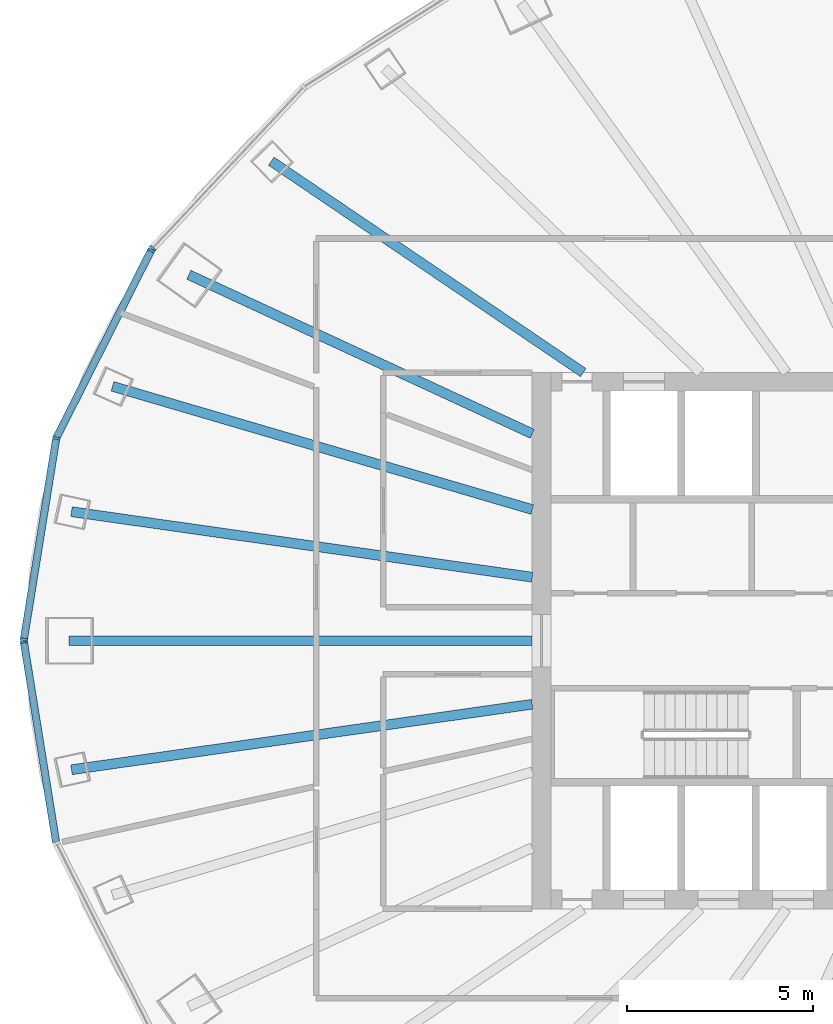
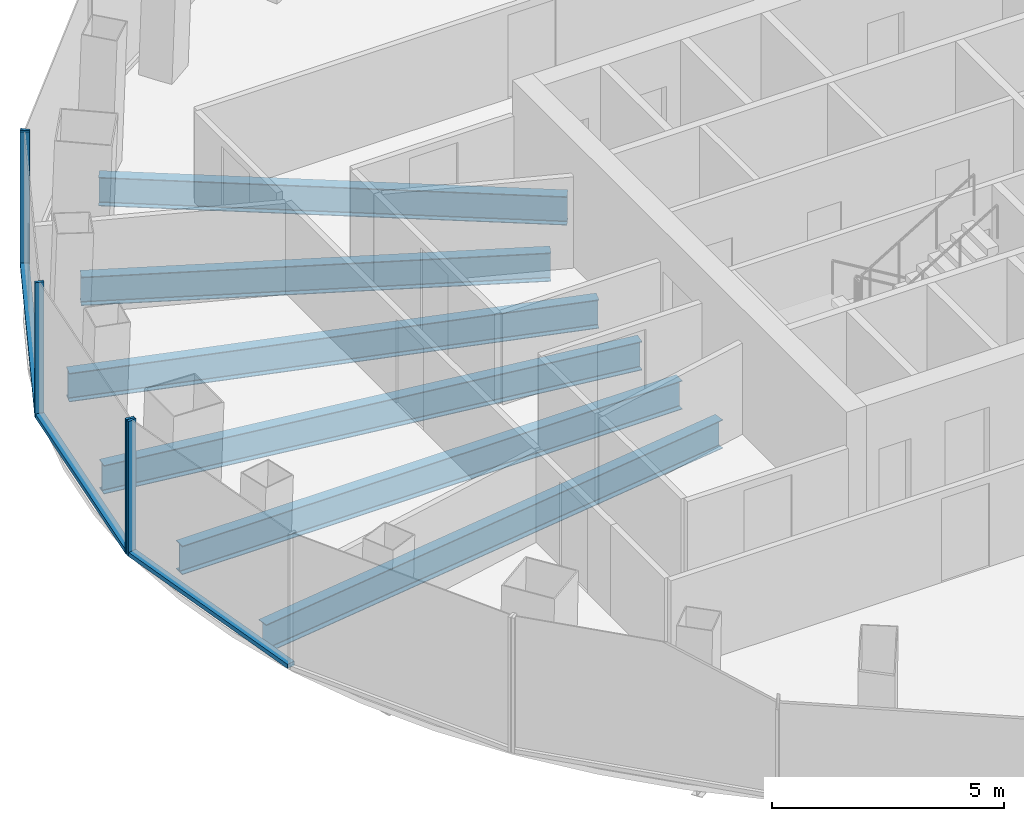
# One storey, part 3 of 12: 8 members, 6 beams, 3 elements without a shape of their own.
"""IFC4 building model written with IfcOpenShell, lengths in metres."""

from ifc_helpers import new_model, si_unit, direction, frame, origin, origin_2d, place, context, subcontext, project, spatial, rectangle, i_section, extrude, material, layer, layer_set, material_profile, profile_set, type_object, element, aggregate, save


model = new_model("IFC4")

# Units and contexts
model_context = context("Model", 3, precision=1e-05, world=origin(), true_north=direction((0.0, 1.0)))
body_context = subcontext(model_context, "Body", "Model", "MODEL_VIEW")
ifc_project = project(units=[si_unit("LENGTHUNIT", "METRE"), si_unit("AREAUNIT", "SQUARE_METRE"), si_unit("VOLUMEUNIT", "CUBIC_METRE"), si_unit("PLANEANGLEUNIT", "RADIAN"), si_unit("MASSUNIT", "GRAM", prefix="KILO")], contexts=[model_context])

# Site, building, storey
site_placement = place(None, origin())
site = spatial("IfcSite", under=ifc_project, at=site_placement, CompositionType="ELEMENT")
building_placement = place(site_placement, origin())
building = spatial("IfcBuilding", under=site, at=building_placement, Name="Siaravel Broadcast Tower", CompositionType="ELEMENT")
storey_placement = place(building_placement, frame((0.0, 0.0, 115.60009765625)))
storey = spatial("IfcBuildingStorey", under=building, at=storey_placement, Name="L27", CompositionType="ELEMENT", Elevation=115.60009765625)

# Beams
ifc_material_1 = material(Name="Steel S355", Category="steel")
ifc_material_profile_1 = material_profile(ifc_material_1, i_section(OverallWidth=0.26513671875, OverallDepth=0.75390625, WebThickness=0.0126953125, FlangeThickness=0.017578125, FilletRadius=0.0166015625, at=origin_2d()))
ifc_profile_set_1 = profile_set([ifc_material_profile_1], Name="Steel S355")
beam_type = type_object("IfcBeamType", Name="BM-UB 762x267x147", PredefinedType="BEAM", material=ifc_profile_set_1)
beam_1_placement = place(storey_placement, frame((-19.0068359375, 12.87548828125, -0.527099609375), z_axis=(0.827911102, -0.560859348, 0.0), x_axis=(0.560859348, 0.827911102, 0.0)))
element("IfcBeam", 1, at=beam_1_placement, inside=storey, type_object=beam_type, Name="Radial beam RB15", PredefinedType="BEAM", context=body_context, shape_type="SweptSolid", body=[
    extrude(i_section(OverallWidth=0.26513671875, OverallDepth=0.75390625, WebThickness=0.0126953125, FlangeThickness=0.017578125, FilletRadius=0.0166015625, at=origin_2d()), origin(), (0.0, 0.0, 1.0), 10.119384765625),
])
beam_2_placement = place(storey_placement, frame((-21.22021484375, 9.826904296875, -0.527099609375), z_axis=(0.907423475, -0.420217369, 0.0), x_axis=(0.420217369, 0.907423475, 0.0)))
element("IfcBeam", 2, at=beam_2_placement, inside=storey, type_object=beam_type, Name="Radial beam RB16", PredefinedType="BEAM", context=body_context, shape_type="SweptSolid", body=[
    extrude(i_section(OverallWidth=0.26513671875, OverallDepth=0.75390625, WebThickness=0.0126953125, FlangeThickness=0.017578125, FilletRadius=0.0166015625, at=origin_2d()), origin(), (0.0, 0.0, 1.0), 10.160888671875),
])
beam_3_placement = place(storey_placement, frame((-23.27001953125, 6.83056640625, -0.527099609375), z_axis=(0.959517615, -0.281648622, 0.0), x_axis=(0.281648622, 0.959517615, 0.0)))
element("IfcBeam", 3, at=beam_3_placement, inside=storey, type_object=beam_type, Name="Radial beam RB17", PredefinedType="BEAM", context=body_context, shape_type="SweptSolid", body=[
    extrude(i_section(OverallWidth=0.26513671875, OverallDepth=0.75390625, WebThickness=0.0126953125, FlangeThickness=0.017578125, FilletRadius=0.0166015625, at=origin_2d()), origin(), (0.0, 0.0, 1.0), 11.74560546875),
])
beam_4_placement = place(storey_placement, frame((-24.37109375, 3.464599609375, -0.527099609375), z_axis=(0.990044616, -0.140753896, 0.0), x_axis=(0.140753896, 0.990044616, 0.0)))
element("IfcBeam", 4, at=beam_4_placement, inside=storey, type_object=beam_type, Name="Radial beam RB18", PredefinedType="BEAM", context=body_context, shape_type="SweptSolid", body=[
    extrude(i_section(OverallWidth=0.26513671875, OverallDepth=0.75390625, WebThickness=0.0126953125, FlangeThickness=0.017578125, FilletRadius=0.0166015625, at=origin_2d()), origin(), (0.0, 0.0, 1.0), 12.49560546875),
])
beam_5_placement = place(storey_placement, frame((-24.44140625, 0.0, -0.527099609375), z_axis=(1.0, 0.0, 0.0), x_axis=(0.0, 1.0, 0.0)))
element("IfcBeam", 5, at=beam_5_placement, inside=storey, type_object=beam_type, Name="Radial beam RB19", PredefinedType="BEAM", context=body_context, shape_type="SweptSolid", body=[
    extrude(i_section(OverallWidth=0.26513671875, OverallDepth=0.75390625, WebThickness=0.0126953125, FlangeThickness=0.017578125, FilletRadius=0.0166015625, at=origin_2d()), origin(), (0.0, 0.0, 1.0), 12.44140625),
])
beam_6_placement = place(storey_placement, frame((-24.37109375, -3.464599609375, -0.527099609375), z_axis=(0.990044616, 0.140753896, 0.0), x_axis=(-0.140753896, 0.990044616, 0.0)))
element("IfcBeam", 6, at=beam_6_placement, inside=storey, type_object=beam_type, Name="Radial beam RB20", PredefinedType="BEAM", context=body_context, shape_type="SweptSolid", body=[
    extrude(i_section(OverallWidth=0.26513671875, OverallDepth=0.75390625, WebThickness=0.0126953125, FlangeThickness=0.017578125, FilletRadius=0.0166015625, at=origin_2d()), origin(), (0.0, 0.0, 1.0), 12.49560546875),
])

# Curtain wall, member
ifc_material_2 = material(Name="Aluminium 6063-T6", Category="aluminium")
ifc_layer = layer(ifc_material_2, 0.199951171875)
ifc_layer_set = layer_set([ifc_layer], Name="Aluminium 6063-T6")
curtain_wall_type = type_object("IfcCurtainWallType", Name="Unitised curtain wall, zone 2", PredefinedType="NOTDEFINED", material=ifc_layer_set)
curtain_wall_1_placement = place(storey_placement, origin())
curtain_wall_1 = element("IfcCurtainWall", 7, at=curtain_wall_1_placement, inside=storey, type_object=curtain_wall_type, Name="L27 Unitised curtain wall, zone 2 05", PredefinedType="NOTDEFINED")
ifc_material_profile_2 = material_profile(ifc_material_2, rectangle(XDim=0.199951171875, YDim=0.06494140625, at=origin_2d()))
ifc_profile_set_2 = profile_set([ifc_material_profile_2], Name="Aluminium 6063-T6")
member_type_1 = type_object("IfcMemberType", Name="CW-Z2 mullion", PredefinedType="MULLION", material=ifc_profile_set_2)
member_1_placement = place(storey_placement, frame((-22.193603515625, 10.539306640625, 0.0), z_axis=(0.0, 0.0, 1.0), x_axis=(0.729804977, -0.683655392, 0.0)))
member_1 = element("IfcMember", 8, at=member_1_placement, type_object=member_type_1, Name="CW-Z2 mullion 3", PredefinedType="MULLION", context=body_context, shape_type="SweptSolid", body=[
    extrude(rectangle(XDim=0.199951171875, YDim=0.06494140625, at=origin_2d()), origin(), (0.0, 0.0, 1.0), 3.5498046875),
])
aggregate(curtain_wall_1, [member_1])

# Curtain wall, members
curtain_wall_2_placement = place(storey_placement, origin())
curtain_wall_2 = element("IfcCurtainWall", 9, at=curtain_wall_2_placement, inside=storey, type_object=curtain_wall_type, Name="L27 Unitised curtain wall, zone 2 06", PredefinedType="NOTDEFINED")
member_2_placement = place(storey_placement, frame((-22.23046875, 10.486572265625, 0.0), z_axis=(0.0, 0.0, 1.0), x_axis=(0.892391899, -0.451261231, 0.0)))
member_2 = element("IfcMember", 10, at=member_2_placement, type_object=member_type_1, Name="CW-Z2 mullion 1", PredefinedType="MULLION", context=body_context, shape_type="SweptSolid", body=[
    extrude(rectangle(XDim=0.199951171875, YDim=0.06494140625, at=origin_2d()), origin(), (0.0, 0.0, 1.0), 3.5498046875),
])
member_3_placement = place(storey_placement, frame((-24.7802734375, 5.44384765625, 0.0), z_axis=(0.0, 0.0, 1.0), x_axis=(0.951177123, -0.308645559, 0.0)))
member_3 = element("IfcMember", 11, at=member_3_placement, type_object=member_type_1, Name="CW-Z2 mullion 2", PredefinedType="MULLION", context=body_context, shape_type="SweptSolid", body=[
    extrude(rectangle(XDim=0.199951171875, YDim=0.06494140625, at=origin_2d()), origin(), (0.0, 0.0, 1.0), 3.5498046875),
])
member_4_placement = place(storey_placement, frame((-25.650146484375, 0.031982421875, 0.0), z_axis=(0.0, 0.0, 1.0), x_axis=(0.987329151, -0.158685687, 0.0)))
member_4 = element("IfcMember", 12, at=member_4_placement, type_object=member_type_1, Name="CW-Z2 mullion 3", PredefinedType="MULLION", context=body_context, shape_type="SweptSolid", body=[
    extrude(rectangle(XDim=0.199951171875, YDim=0.06494140625, at=origin_2d()), origin(), (0.0, 0.0, 1.0), 3.5498046875),
])

# Curtain wall, member
curtain_wall_3_placement = place(storey_placement, origin())
curtain_wall_3 = element("IfcCurtainWall", 13, at=curtain_wall_3_placement, inside=storey, type_object=curtain_wall_type, Name="L27 Unitised curtain wall, zone 2 07", PredefinedType="NOTDEFINED")
member_5_placement = place(storey_placement, frame((-25.650146484375, -0.031982421875, 0.0), z_axis=(0.0, 0.0, 1.0), x_axis=(0.987329151, 0.158685687, 0.0)))
member_5 = element("IfcMember", 14, at=member_5_placement, type_object=member_type_1, Name="CW-Z2 mullion 1", PredefinedType="MULLION", context=body_context, shape_type="SweptSolid", body=[
    extrude(rectangle(XDim=0.199951171875, YDim=0.06494140625, at=origin_2d()), origin(), (0.0, 0.0, 1.0), 3.5498046875),
])

# Member
ifc_material_profile_3 = material_profile(ifc_material_2, rectangle(XDim=0.199951171875, YDim=0.110107421875, at=origin_2d()))
ifc_profile_set_3 = profile_set([ifc_material_profile_3], Name="Aluminium 6063-T6")
member_type_2 = type_object("IfcMemberType", Name="CW-Z2 transom", PredefinedType="USERDEFINED", material=ifc_profile_set_3)
member_6_placement = place(storey_placement, frame((-22.2451171875, 10.45751953125, 0.054931640625), z_axis=(-0.451247712, -0.892398735, 0.0), x_axis=(0.892398735, -0.451247712, 0.0)))
member_6 = element("IfcMember", 15, at=member_6_placement, type_object=member_type_2, Name="CW-Z2 transom 1", ObjectType="TRANSOM", PredefinedType="USERDEFINED", context=body_context, shape_type="SweptSolid", body=[
    extrude(rectangle(XDim=0.199951171875, YDim=0.110107421875, at=origin_2d()), origin(), (0.0, 0.0, 1.0), 5.585693359375),
])

member_7_placement = place(storey_placement, frame((-24.785400390625, 5.411865234375, 0.054931640625), z_axis=(-0.158709481, -0.987325327, 0.0), x_axis=(0.987325327, -0.158709481, 0.0)))
member_7 = element("IfcMember", 16, at=member_7_placement, type_object=member_type_2, Name="CW-Z2 transom 2", ObjectType="TRANSOM", PredefinedType="USERDEFINED", context=body_context, shape_type="SweptSolid", body=[
    extrude(rectangle(XDim=0.199951171875, YDim=0.110107421875, at=origin_2d()), origin(), (0.0, 0.0, 1.0), 5.416259765625),
])

aggregate(curtain_wall_2, [member_2, member_3, member_4, member_6, member_7])

member_8_placement = place(storey_placement, frame((-25.64501953125, -0.064208984375, 0.054931640625), z_axis=(0.158709481, -0.987325327, 0.0), x_axis=(0.987325327, 0.158709481, 0.0)))
member_8 = element("IfcMember", 17, at=member_8_placement, type_object=member_type_2, Name="CW-Z2 transom 1", ObjectType="TRANSOM", PredefinedType="USERDEFINED", context=body_context, shape_type="SweptSolid", body=[
    extrude(rectangle(XDim=0.199951171875, YDim=0.110107421875, at=origin_2d()), origin(), (0.0, 0.0, 1.0), 5.416259765625),
])

aggregate(curtain_wall_3, [member_5, member_8])

save(model, "model.ifc")
